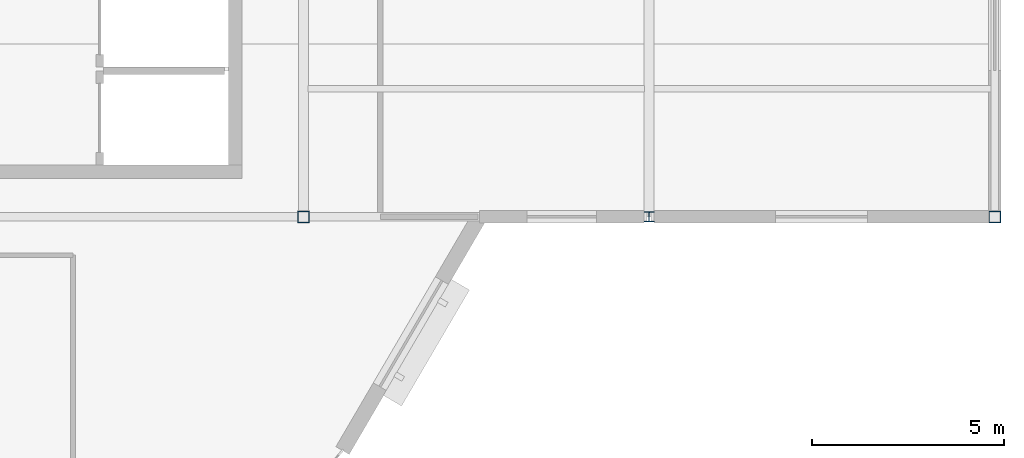
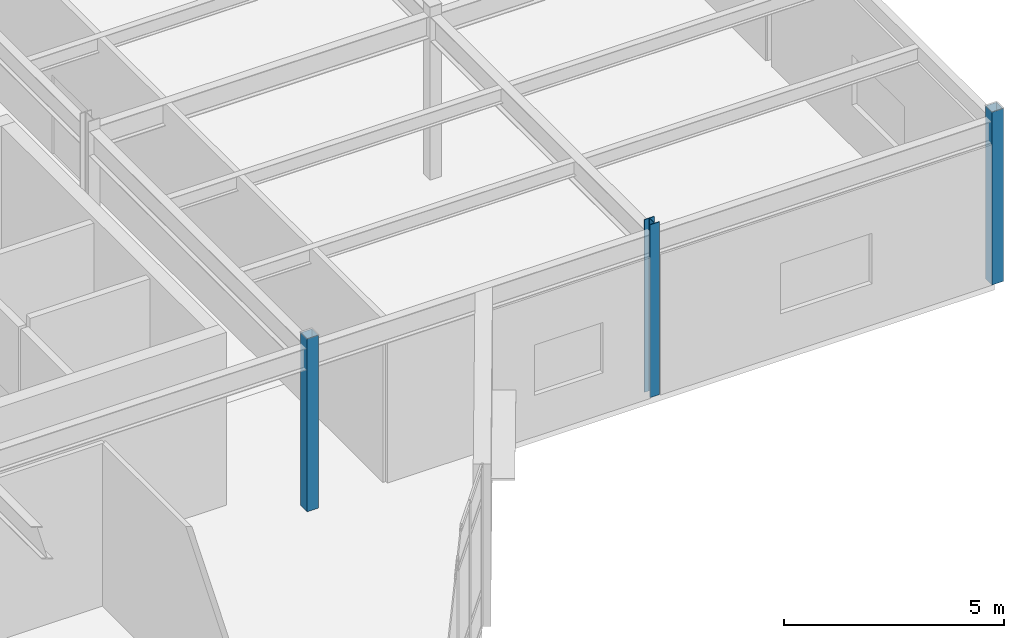
# One storey, part 18 of 86: 3 columns.
"""IFC4 building model written with IfcOpenShell, lengths in metres."""

import ifcopenshell
import ifcopenshell.guid

model = None  # the IFC model being written
_history = None  # IfcOwnerHistory: only IFC2X3 demands one
_inside = {}  # id of a spatial element -> (the spatial element, [elements in it])
_under = {}  # id of a project, library or spatial element -> (it, [spatial elements below it])
_declared = {}  # id of a project -> (the project, [libraries it declares])
_typed = {}  # id of a type object -> (the type object, [elements of that type])
_made_of = {}  # id of a material, layer set ... -> (it, [elements and type objects made of it])


def new_model(schema):
    """Start an empty IFC model of exactly this schema.

    Asked for "IFC4X3", IfcOpenShell would pick the latest addendum, in which some entities
    have other attributes; the version numbers below select the first issue.
    IFC2X3 requires an IfcOwnerHistory on every rooted entity: one is made here for all.
    """
    global model, _history
    if schema == "IFC4X3":
        model = ifcopenshell.file(schema_version=(4, 3, 0, 0))
    else:
        model = ifcopenshell.file(schema=schema)
    _inside.clear()
    _under.clear()
    _declared.clear()
    _typed.clear()
    _made_of.clear()
    _history = None
    if model.schema == "IFC2X3":
        org = make("IfcOrganization", Name="unknown")
        user = make(
            "IfcPersonAndOrganization",
            ThePerson=make("IfcPerson", FamilyName="unknown"),
            TheOrganization=org,
        )
        app = make(
            "IfcApplication",
            ApplicationDeveloper=org,
            Version="unknown",
            ApplicationFullName="unknown",
            ApplicationIdentifier="unknown",
        )
        _history = make(
            "IfcOwnerHistory",
            OwningUser=user,
            OwningApplication=app,
            ChangeAction="ADDED",
            CreationDate=0,
        )
    return model


def make(cls, **values):
    """One entity of the class cls with the attributes given. An attribute that is None is left unset."""
    return model.create_entity(
        cls, **{name: value for name, value in values.items() if value is not None}
    )


def rooted(cls, **values):
    """An entity with a GlobalId (a new one), such as an element, a storey or a relation."""
    return make(cls, GlobalId=ifcopenshell.guid.new(), OwnerHistory=_history, **values)


def si_unit(unit_type, name, prefix=None):
    """IfcSIUnit, for example si_unit("LENGTHUNIT", "METRE", prefix="MILLI")."""
    return make("IfcSIUnit", UnitType=unit_type, Prefix=prefix, Name=name)


def assignment(units):
    """IfcUnitAssignment: the units of a project."""
    return None if units is None else make("IfcUnitAssignment", Units=units)


def point(xyz):
    """IfcCartesianPoint."""
    return None if xyz is None else make("IfcCartesianPoint", Coordinates=xyz)


def direction(xyz):
    """IfcDirection."""
    return None if xyz is None else make("IfcDirection", DirectionRatios=xyz)


def frame(location, z_axis=None, x_axis=None):
    """IfcAxis2Placement3D, a coordinate frame: its origin and axes. An axis left out is left unset."""
    return make(
        "IfcAxis2Placement3D",
        Location=point(location),
        Axis=direction(z_axis),
        RefDirection=direction(x_axis),
    )


def frame_2d(location, x_axis=None):
    """IfcAxis2Placement2D, a coordinate frame in the plane: its origin and x axis."""
    return make(
        "IfcAxis2Placement2D", Location=point(location), RefDirection=direction(x_axis)
    )


def origin():
    """The frame at (0, 0, 0) with its axes left unset."""
    return frame((0.0, 0.0, 0.0))


def origin_2d():
    """The frame at (0, 0) in the plane with its x axis left unset."""
    return frame_2d((0.0, 0.0))


def place(relative_to, where):
    """IfcLocalPlacement: puts the frame where relative to a parent placement (None: the world)."""
    return make(
        "IfcLocalPlacement", PlacementRelTo=relative_to, RelativePlacement=where
    )


def context(
    kind, dimensions, precision=None, world=None, true_north=None, identifier=None
):
    """IfcGeometricRepresentationContext, for example the 3D "Model" context."""
    return make(
        "IfcGeometricRepresentationContext",
        ContextIdentifier=identifier,
        ContextType=kind,
        CoordinateSpaceDimension=dimensions,
        Precision=precision,
        WorldCoordinateSystem=world,
        TrueNorth=true_north,
    )


def subcontext(parent, identifier, kind, view, scale=None):
    """IfcGeometricRepresentationSubContext, for example "Body" below "Model"."""
    return make(
        "IfcGeometricRepresentationSubContext",
        ContextIdentifier=identifier,
        ContextType=kind,
        ParentContext=parent,
        TargetScale=scale,
        TargetView=view,
    )


def project(units=None, contexts=None):
    """IfcProject with its units and contexts."""
    return rooted(
        "IfcProject",
        Name="project",
        RepresentationContexts=contexts,
        UnitsInContext=assignment(units),
    )


def spatial(cls, under=None, at=None, **own):
    """A site, building, storey or space (cls), placed at a placement, below another one or the project."""
    s = rooted(cls, ObjectPlacement=at, **own)
    if under is not None:
        _under.setdefault(under.id(), (under, []))[1].append(s)
    return s


def profile(cls, at=None, kind="AREA", **sizes):
    """A parametric profile (cls). Its sizes go by their IFC names, for example OverallWidth=200.0."""
    return make(cls, ProfileType=kind, Position=at, **sizes)


def hollow_rectangle(**sizes):
    """IfcRectangleHollowProfileDef."""
    return profile("IfcRectangleHollowProfileDef", **sizes)


def i_section(**sizes):
    """IfcIShapeProfileDef."""
    return profile("IfcIShapeProfileDef", **sizes)


def extrude(swept, where, along, depth):
    """IfcExtrudedAreaSolid: the profile swept, set in the frame where, extruded along a direction by depth."""
    return make(
        "IfcExtrudedAreaSolid",
        SweptArea=swept,
        Position=where,
        ExtrudedDirection=direction(along),
        Depth=depth,
    )


def shape(context_of_items, identifier, shape_type, items):
    """IfcShapeRepresentation: the items that make up one representation, for example the "Body"."""
    return make(
        "IfcShapeRepresentation",
        ContextOfItems=context_of_items,
        RepresentationIdentifier=identifier,
        RepresentationType=shape_type,
        Items=items,
    )


def material(Name=None, Category=None):
    """IfcMaterial."""
    return make("IfcMaterial", Name=Name, Category=Category)


def material_profile(
    of_material, cross_section, Name=None, Category=None, Priority=None
):
    """IfcMaterialProfile: a cross section and its material."""
    return make(
        "IfcMaterialProfile",
        Name=Name,
        Material=of_material,
        Profile=cross_section,
        Priority=Priority,
        Category=Category,
    )


def profile_set(profiles, Name=None, composite=None):
    """IfcMaterialProfileSet."""
    return make(
        "IfcMaterialProfileSet",
        Name=Name,
        MaterialProfiles=profiles,
        CompositeProfile=composite,
    )


def made_of(thing, what):
    """Note that an element or type object is made of a material, layer set ...; save() writes the relation."""
    if what is not None:
        _made_of.setdefault(what.id(), (what, []))[1].append(thing)
    return thing


def type_object(cls, material=None, **own):
    """A type object (cls), such as IfcWallType, which elements share."""
    return made_of(rooted(cls, **own), material)


def element(
    cls,
    number,
    at=None,
    inside=None,
    cuts=None,
    type_object=None,
    material=None,
    context=None,
    identifier="Body",
    shape_type=None,
    held_by="IfcProductDefinitionShape",
    body=None,
    shapes=None,
    **own,
):
    """One element of the class cls, such as IfcWall. Its Tag is "e" and its number.

    at: its placement. inside: the storey or other place that contains it. cuts: it is an
    opening in that element (IfcRelVoidsElement). A single representation is given by context,
    identifier, shape_type and body (its items); several are given by shapes. held_by: the class
    of the entity that holds the representations. save() writes the other relations.
    """
    e = rooted(cls, Tag="e%d" % number, ObjectPlacement=at, **own)
    if body is not None:
        shapes = [shape(context, identifier, shape_type, body)]
    if shapes is not None:
        e.Representation = make(held_by, Representations=shapes)
    if inside is not None:
        _inside.setdefault(inside.id(), (inside, []))[1].append(e)
    if cuts is not None:
        rooted(
            "IfcRelVoidsElement", RelatingBuildingElement=cuts, RelatedOpeningElement=e
        )
    if type_object is not None:
        _typed.setdefault(type_object.id(), (type_object, []))[1].append(e)
    return made_of(e, material)


def aggregate(whole, parts):
    """IfcRelAggregates: a whole, such as a stair, and the parts it consists of."""
    return rooted("IfcRelAggregates", RelatingObject=whole, RelatedObjects=parts)


def save(model, path):
    """Write the relations noted so far, then the file.

    IfcRelAggregates (storeys below a building ...), IfcRelContainedInSpatialStructure (elements
    in a storey), IfcRelDefinesByType, IfcRelAssociatesMaterial and IfcRelDeclares: one each for
    every whole, place, type object, material and project.
    """
    for whole, parts in _under.values():
        aggregate(whole, parts)
    for where, things in _inside.values():
        rooted(
            "IfcRelContainedInSpatialStructure",
            RelatedElements=things,
            RelatingStructure=where,
        )
    for kind, things in _typed.values():
        rooted("IfcRelDefinesByType", RelatedObjects=things, RelatingType=kind)
    for what, things in _made_of.values():
        rooted("IfcRelAssociatesMaterial", RelatedObjects=things, RelatingMaterial=what)
    for by, libraries in _declared.values():
        rooted("IfcRelDeclares", RelatingContext=by, RelatedDefinitions=libraries)
    model.write(path)


model = new_model("IFC4")

# Units and contexts
model_context = context("Model", 3, precision=1e-05, world=origin(), true_north=direction((0.0, 1.0)))
body_context = subcontext(model_context, "Body", "Model", "MODEL_VIEW")
ifc_project = project(units=[si_unit("LENGTHUNIT", "METRE"), si_unit("AREAUNIT", "SQUARE_METRE"), si_unit("VOLUMEUNIT", "CUBIC_METRE"), si_unit("PLANEANGLEUNIT", "RADIAN"), si_unit("MASSUNIT", "GRAM", prefix="KILO")], contexts=[model_context])

# Site, building, storey
site_placement = place(None, origin())
site = spatial("IfcSite", under=ifc_project, at=site_placement, CompositionType="ELEMENT")
building_placement = place(site_placement, origin())
building = spatial("IfcBuilding", under=site, at=building_placement, Name="Glasvene Arena", CompositionType="ELEMENT")
storey_placement = place(building_placement, frame((0.0, 0.0, 5.39990234375)))
storey = spatial("IfcBuildingStorey", under=building, at=storey_placement, Name="L01", CompositionType="ELEMENT", Elevation=5.39990234375)

# Columns
ifc_material = material(Name="Steel S355J2", Category="steel")
ifc_material_profile_1 = material_profile(ifc_material, hollow_rectangle(XDim=0.300048828125, YDim=0.300048828125, WallThickness=0.012451171875, at=origin_2d()), Name="SHS 300x300x12.5")
ifc_profile_set_1 = profile_set([ifc_material_profile_1], Name="Steel S355J2")
column_type_1 = type_object("IfcColumnType", Name="COL-W-SHS300", PredefinedType="COLUMN", material=ifc_profile_set_1)
for number, where, z_axis, x_axis, name in (
    (1, (156.0, 54.0, 0.0), (0.0, 0.0, 1.0), (1.0, 0.0, 0.0), "Grid column 18-7 L01"),
    (2, (174.0, 54.0, 0.0), (0.0, 0.0, 1.0), (1.0, 0.0, 0.0), "Grid column 20-7 L01"),
):
    element("IfcColumn", number, at=place(storey_placement, frame(where, z_axis=z_axis, x_axis=x_axis)), inside=storey, type_object=column_type_1, Name=name, PredefinedType="COLUMN", context=body_context, shape_type="SweptSolid", body=[
        extrude(hollow_rectangle(XDim=0.300048828125, YDim=0.300048828125, WallThickness=0.012451171875, at=origin_2d()), origin(), (0.0, 0.0, 1.0), 4.800048828125),
    ])
ifc_material_profile_2 = material_profile(ifc_material, i_section(OverallWidth=0.25634765625, OverallDepth=0.26025390625, WebThickness=0.01025390625, FlangeThickness=0.017333984375, FilletRadius=0.0126953125, at=origin_2d()), Name="UKC 254x254x89")
ifc_profile_set_2 = profile_set([ifc_material_profile_2], Name="Steel S355J2")
column_type_2 = type_object("IfcColumnType", Name="COL-W-UKC89", PredefinedType="COLUMN", material=ifc_profile_set_2)
column_placement = place(storey_placement, frame((165.0, 54.0, 0.0), z_axis=(0.0, 0.0, 1.0), x_axis=(1.0, 0.0, 0.0)))
element("IfcColumn", 3, at=column_placement, inside=storey, type_object=column_type_2, Name="Grid column 19-7 L01", PredefinedType="COLUMN", context=body_context, shape_type="SweptSolid", body=[
    extrude(i_section(OverallWidth=0.25634765625, OverallDepth=0.26025390625, WebThickness=0.01025390625, FlangeThickness=0.017333984375, FilletRadius=0.0126953125, at=origin_2d()), origin(), (0.0, 0.0, 1.0), 4.800048828125),
])

save(model, "model.ifc")
